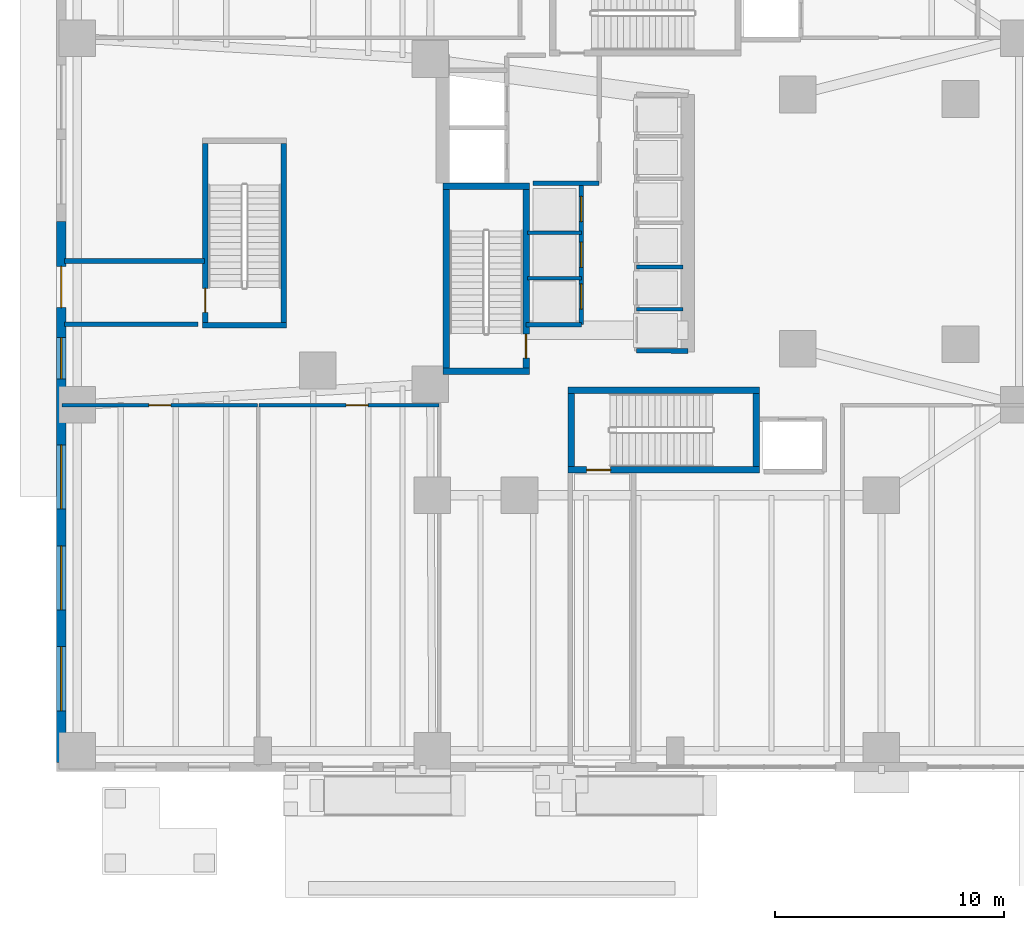
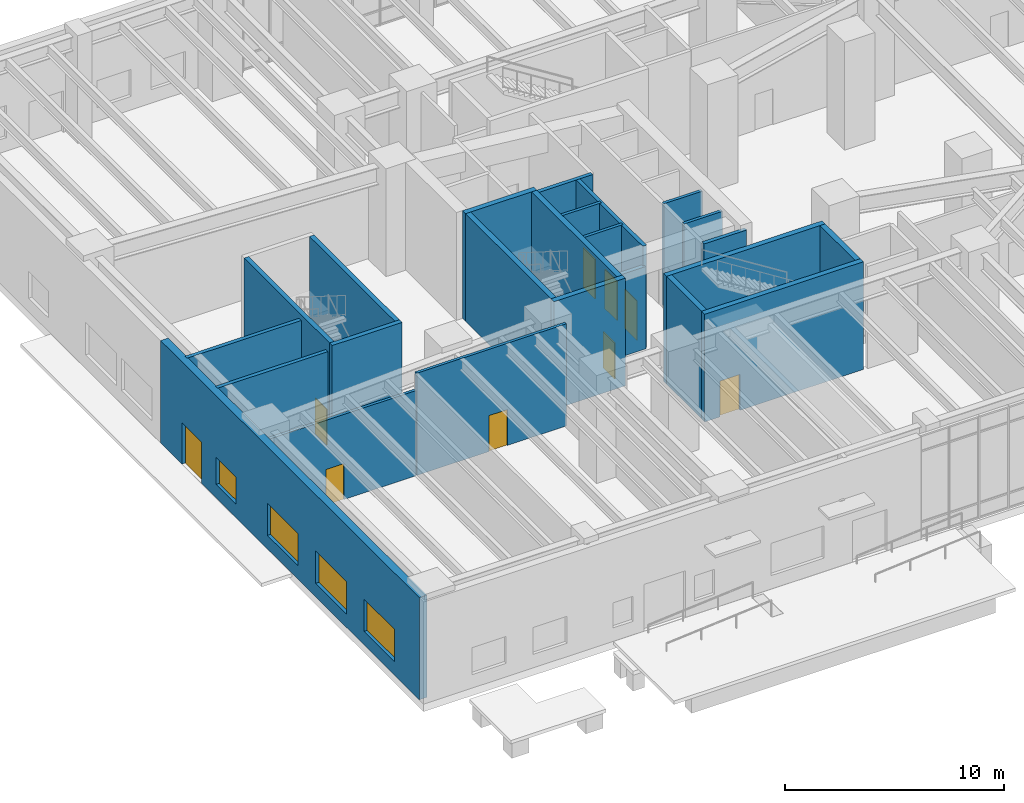
# One storey, part 19 of 28: 24 walls, 9 doors, 4 windows, 13 openings.
"""IFC4 building model written with IfcOpenShell, lengths in metres."""

import ifcopenshell
import ifcopenshell.guid

model = None  # the IFC model being written
_history = None  # IfcOwnerHistory: only IFC2X3 demands one
_inside = {}  # id of a spatial element -> (the spatial element, [elements in it])
_under = {}  # id of a project, library or spatial element -> (it, [spatial elements below it])
_declared = {}  # id of a project -> (the project, [libraries it declares])
_typed = {}  # id of a type object -> (the type object, [elements of that type])
_made_of = {}  # id of a material, layer set ... -> (it, [elements and type objects made of it])


def new_model(schema):
    """Start an empty IFC model of exactly this schema.

    Asked for "IFC4X3", IfcOpenShell would pick the latest addendum, in which some entities
    have other attributes; the version numbers below select the first issue.
    IFC2X3 requires an IfcOwnerHistory on every rooted entity: one is made here for all.
    """
    global model, _history
    if schema == "IFC4X3":
        model = ifcopenshell.file(schema_version=(4, 3, 0, 0))
    else:
        model = ifcopenshell.file(schema=schema)
    _inside.clear()
    _under.clear()
    _declared.clear()
    _typed.clear()
    _made_of.clear()
    _history = None
    if model.schema == "IFC2X3":
        org = make("IfcOrganization", Name="unknown")
        user = make(
            "IfcPersonAndOrganization",
            ThePerson=make("IfcPerson", FamilyName="unknown"),
            TheOrganization=org,
        )
        app = make(
            "IfcApplication",
            ApplicationDeveloper=org,
            Version="unknown",
            ApplicationFullName="unknown",
            ApplicationIdentifier="unknown",
        )
        _history = make(
            "IfcOwnerHistory",
            OwningUser=user,
            OwningApplication=app,
            ChangeAction="ADDED",
            CreationDate=0,
        )
    return model


def make(cls, **values):
    """One entity of the class cls with the attributes given. An attribute that is None is left unset."""
    return model.create_entity(
        cls, **{name: value for name, value in values.items() if value is not None}
    )


def rooted(cls, **values):
    """An entity with a GlobalId (a new one), such as an element, a storey or a relation."""
    return make(cls, GlobalId=ifcopenshell.guid.new(), OwnerHistory=_history, **values)


def si_unit(unit_type, name, prefix=None):
    """IfcSIUnit, for example si_unit("LENGTHUNIT", "METRE", prefix="MILLI")."""
    return make("IfcSIUnit", UnitType=unit_type, Prefix=prefix, Name=name)


def assignment(units):
    """IfcUnitAssignment: the units of a project."""
    return None if units is None else make("IfcUnitAssignment", Units=units)


def point(xyz):
    """IfcCartesianPoint."""
    return None if xyz is None else make("IfcCartesianPoint", Coordinates=xyz)


def direction(xyz):
    """IfcDirection."""
    return None if xyz is None else make("IfcDirection", DirectionRatios=xyz)


def frame(location, z_axis=None, x_axis=None):
    """IfcAxis2Placement3D, a coordinate frame: its origin and axes. An axis left out is left unset."""
    return make(
        "IfcAxis2Placement3D",
        Location=point(location),
        Axis=direction(z_axis),
        RefDirection=direction(x_axis),
    )


def frame_2d(location, x_axis=None):
    """IfcAxis2Placement2D, a coordinate frame in the plane: its origin and x axis."""
    return make(
        "IfcAxis2Placement2D", Location=point(location), RefDirection=direction(x_axis)
    )


def origin():
    """The frame at (0, 0, 0) with its axes left unset."""
    return frame((0.0, 0.0, 0.0))


def place(relative_to, where):
    """IfcLocalPlacement: puts the frame where relative to a parent placement (None: the world)."""
    return make(
        "IfcLocalPlacement", PlacementRelTo=relative_to, RelativePlacement=where
    )


def context(
    kind, dimensions, precision=None, world=None, true_north=None, identifier=None
):
    """IfcGeometricRepresentationContext, for example the 3D "Model" context."""
    return make(
        "IfcGeometricRepresentationContext",
        ContextIdentifier=identifier,
        ContextType=kind,
        CoordinateSpaceDimension=dimensions,
        Precision=precision,
        WorldCoordinateSystem=world,
        TrueNorth=true_north,
    )


def subcontext(parent, identifier, kind, view, scale=None):
    """IfcGeometricRepresentationSubContext, for example "Body" below "Model"."""
    return make(
        "IfcGeometricRepresentationSubContext",
        ContextIdentifier=identifier,
        ContextType=kind,
        ParentContext=parent,
        TargetScale=scale,
        TargetView=view,
    )


def project(units=None, contexts=None):
    """IfcProject with its units and contexts."""
    return rooted(
        "IfcProject",
        Name="project",
        RepresentationContexts=contexts,
        UnitsInContext=assignment(units),
    )


def spatial(cls, under=None, at=None, **own):
    """A site, building, storey or space (cls), placed at a placement, below another one or the project."""
    s = rooted(cls, ObjectPlacement=at, **own)
    if under is not None:
        _under.setdefault(under.id(), (under, []))[1].append(s)
    return s


def profile(cls, at=None, kind="AREA", **sizes):
    """A parametric profile (cls). Its sizes go by their IFC names, for example OverallWidth=200.0."""
    return make(cls, ProfileType=kind, Position=at, **sizes)


def rectangle(**sizes):
    """IfcRectangleProfileDef."""
    return profile("IfcRectangleProfileDef", **sizes)


def extrude(swept, where, along, depth):
    """IfcExtrudedAreaSolid: the profile swept, set in the frame where, extruded along a direction by depth."""
    return make(
        "IfcExtrudedAreaSolid",
        SweptArea=swept,
        Position=where,
        ExtrudedDirection=direction(along),
        Depth=depth,
    )


def shape(context_of_items, identifier, shape_type, items):
    """IfcShapeRepresentation: the items that make up one representation, for example the "Body"."""
    return make(
        "IfcShapeRepresentation",
        ContextOfItems=context_of_items,
        RepresentationIdentifier=identifier,
        RepresentationType=shape_type,
        Items=items,
    )


def material(Name=None, Category=None):
    """IfcMaterial."""
    return make("IfcMaterial", Name=Name, Category=Category)


def layer(
    of_material, thickness, ventilated=None, Name=None, Category=None, Priority=None
):
    """IfcMaterialLayer: one layer of a wall or slab, of a material (None: an air gap)."""
    return make(
        "IfcMaterialLayer",
        Material=of_material,
        LayerThickness=thickness,
        IsVentilated=ventilated,
        Name=Name,
        Category=Category,
        Priority=Priority,
    )


def layer_set(layers, Name=None):
    """IfcMaterialLayerSet."""
    return make("IfcMaterialLayerSet", MaterialLayers=layers, LayerSetName=Name)


def made_of(thing, what):
    """Note that an element or type object is made of a material, layer set ...; save() writes the relation."""
    if what is not None:
        _made_of.setdefault(what.id(), (what, []))[1].append(thing)
    return thing


def type_object(cls, material=None, **own):
    """A type object (cls), such as IfcWallType, which elements share."""
    return made_of(rooted(cls, **own), material)


def element(
    cls,
    number,
    at=None,
    inside=None,
    cuts=None,
    type_object=None,
    material=None,
    context=None,
    identifier="Body",
    shape_type=None,
    held_by="IfcProductDefinitionShape",
    body=None,
    shapes=None,
    **own,
):
    """One element of the class cls, such as IfcWall. Its Tag is "e" and its number.

    at: its placement. inside: the storey or other place that contains it. cuts: it is an
    opening in that element (IfcRelVoidsElement). A single representation is given by context,
    identifier, shape_type and body (its items); several are given by shapes. held_by: the class
    of the entity that holds the representations. save() writes the other relations.
    """
    e = rooted(cls, Tag="e%d" % number, ObjectPlacement=at, **own)
    if body is not None:
        shapes = [shape(context, identifier, shape_type, body)]
    if shapes is not None:
        e.Representation = make(held_by, Representations=shapes)
    if inside is not None:
        _inside.setdefault(inside.id(), (inside, []))[1].append(e)
    if cuts is not None:
        rooted(
            "IfcRelVoidsElement", RelatingBuildingElement=cuts, RelatedOpeningElement=e
        )
    if type_object is not None:
        _typed.setdefault(type_object.id(), (type_object, []))[1].append(e)
    return made_of(e, material)


def fill(opening, filler):
    """IfcRelFillsElement: the door or window that sits in an opening."""
    return rooted(
        "IfcRelFillsElement",
        RelatingOpeningElement=opening,
        RelatedBuildingElement=filler,
    )


def aggregate(whole, parts):
    """IfcRelAggregates: a whole, such as a stair, and the parts it consists of."""
    return rooted("IfcRelAggregates", RelatingObject=whole, RelatedObjects=parts)


def save(model, path):
    """Write the relations noted so far, then the file.

    IfcRelAggregates (storeys below a building ...), IfcRelContainedInSpatialStructure (elements
    in a storey), IfcRelDefinesByType, IfcRelAssociatesMaterial and IfcRelDeclares: one each for
    every whole, place, type object, material and project.
    """
    for whole, parts in _under.values():
        aggregate(whole, parts)
    for where, things in _inside.values():
        rooted(
            "IfcRelContainedInSpatialStructure",
            RelatedElements=things,
            RelatingStructure=where,
        )
    for kind, things in _typed.values():
        rooted("IfcRelDefinesByType", RelatedObjects=things, RelatingType=kind)
    for what, things in _made_of.values():
        rooted("IfcRelAssociatesMaterial", RelatedObjects=things, RelatingMaterial=what)
    for by, libraries in _declared.values():
        rooted("IfcRelDeclares", RelatingContext=by, RelatedDefinitions=libraries)
    model.write(path)


model = new_model("IFC4")

# Units and contexts
model_context = context("Model", 3, precision=1e-05, world=origin(), true_north=direction((0.0, 1.0)))
body_context = subcontext(model_context, "Body", "Model", "MODEL_VIEW")
ifc_project = project(units=[si_unit("LENGTHUNIT", "METRE"), si_unit("AREAUNIT", "SQUARE_METRE"), si_unit("VOLUMEUNIT", "CUBIC_METRE"), si_unit("PLANEANGLEUNIT", "RADIAN"), si_unit("MASSUNIT", "GRAM", prefix="KILO"), si_unit("THERMODYNAMICTEMPERATUREUNIT", "KELVIN"), si_unit("POWERUNIT", "WATT")], contexts=[model_context])

# Site, building, storey
site_placement = place(None, origin())
site = spatial("IfcSite", under=ifc_project, at=site_placement, CompositionType="ELEMENT")
building_placement = place(site_placement, origin())
building = spatial("IfcBuilding", under=site, at=building_placement, Name="Skarre Station Tower", CompositionType="ELEMENT")
storey_placement = place(building_placement, origin())
storey = spatial("IfcBuildingStorey", under=building, at=storey_placement, Name="L01", CompositionType="ELEMENT", Elevation=0.0)

# Wall, opening, door
ifc_material_1 = material(Name="Acoustic Steel-Stud Gypsum Partition", Category="steel")
ifc_layer_1 = layer(ifc_material_1, 0.14990234375, Name="Acoustic Steel-Stud Gypsum Partition")
ifc_layer_set_1 = layer_set([ifc_layer_1], Name="Acoustic Steel-Stud Gypsum Partition")
wall_type_1 = type_object("IfcWallType", Name="Fire-Rated Corridor Acoustic Partition 150", PredefinedType="PARTITIONING", material=ifc_layer_set_1)
wall_1_placement = place(storey_placement, frame((0.239990234375, 15.97998046875, 0.0), z_axis=(0.0, 0.0, 1.0), x_axis=(1.0, 0.0, 0.0)))
wall_1 = element("IfcWall", 1, at=wall_1_placement, inside=storey, type_object=wall_type_1, Name="L01 Interior Partition WL-PT-L01-PDSW1-CW", PredefinedType="PARTITIONING", context=body_context, shape_type="SweptSolid", body=[
    extrude(rectangle(XDim=8.532958984375, YDim=0.14990234375, at=frame_2d((4.2666015625, 0.0))), origin(), (0.0, 0.0, 1.0), 4.741943359375),
])
opening_1_placement = place(wall_1_placement, frame((3.787109375, 0.0, 0.0)))
opening_1 = element("IfcOpeningElement", 2, at=opening_1_placement, cuts=wall_1, Name="Opening DR-FD60", PredefinedType="OPENING", context=body_context, shape_type="SweptSolid", body=[
    extrude(rectangle(XDim=0.9599609375, YDim=2.0, at=frame_2d((0.47998046875, 1.0))), frame((0.0, 0.0849609375, 0.0), z_axis=(0.0, -1.0, 0.0), x_axis=(1.0, 0.0, 0.0)), (0.0, 0.0, 1.0), 0.169921875),
])
ifc_material_2 = material(Name="Nordic White-Oak Veneer Solid-Core Fire Leaf", Category="wood")
door_type_1 = type_object("IfcDoorType", Name="Corridor Suite Entry Fire Door FD60 960x2150", OperationType="SINGLE_SWING_LEFT", PredefinedType="DOOR", material=ifc_material_2)
door_1_placement = place(opening_1_placement, origin())
door_1 = element("IfcDoor", 3, at=door_1_placement, inside=storey, type_object=door_type_1, Name="L01 PDSW1 Entry Door", OperationType="SINGLE_SWING_LEFT", OverallHeight=2.0, OverallWidth=0.9599609375, PredefinedType="DOOR", context=body_context, shape_type="SweptSolid", body=[
    extrude(rectangle(XDim=0.9599609375, YDim=2.0, at=frame_2d((0.47998046875, 1.0))), frame((0.0, 0.02490234375, 0.0), z_axis=(0.0, -1.0, 0.0), x_axis=(1.0, 0.0, 0.0)), (0.0, 0.0, 1.0), 0.050048828125),
])
fill(opening_1, door_1)

wall_2_placement = place(storey_placement, frame((8.824951171875, 15.97998046875, 0.0), z_axis=(0.0, 0.0, 1.0), x_axis=(1.0, 0.0, 0.0)))
wall_2 = element("IfcWall", 4, at=wall_2_placement, inside=storey, type_object=wall_type_1, Name="L01 Interior Partition WL-PT-L01-PDSW2-CW", PredefinedType="PARTITIONING", context=body_context, shape_type="SweptSolid", body=[
    extrude(rectangle(XDim=7.875, YDim=0.14990234375, at=frame_2d((3.9375, 0.0))), origin(), (0.0, 0.0, 1.0), 5.68994140625),
])
opening_2_placement = place(wall_2_placement, frame((3.80810546875, 0.0, 0.0)))
opening_2 = element("IfcOpeningElement", 5, at=opening_2_placement, cuts=wall_2, Name="Opening DR-FD60", PredefinedType="OPENING", context=body_context, shape_type="SweptSolid", body=[
    extrude(rectangle(XDim=0.9599609375, YDim=2.0, at=frame_2d((0.47998046875, 1.0))), frame((0.0, 0.0849609375, 0.0), z_axis=(0.0, -1.0, 0.0), x_axis=(1.0, 0.0, 0.0)), (0.0, 0.0, 1.0), 0.169921875),
])
door_2_placement = place(opening_2_placement, origin())
door_2 = element("IfcDoor", 6, at=door_2_placement, inside=storey, type_object=door_type_1, Name="L01 PDSW2 Entry Door", OperationType="SINGLE_SWING_LEFT", OverallHeight=2.0, OverallWidth=0.9599609375, PredefinedType="DOOR", context=body_context, shape_type="SweptSolid", body=[
    extrude(rectangle(XDim=0.9599609375, YDim=2.0, at=frame_2d((0.47998046875, 1.0))), frame((0.0, 0.02490234375, 0.0), z_axis=(0.0, -1.0, 0.0), x_axis=(1.0, 0.0, 0.0)), (0.0, 0.0, 1.0), 0.050048828125),
])
fill(opening_2, door_2)

# Wall, openings, door, windows
ifc_material_3 = material(Name="Precast concrete C45/55", Category="concrete")
ifc_layer_2 = layer(ifc_material_3, 0.39990234375, Name="Precast concrete C45/55")
ifc_layer_set_2 = layer_set([ifc_layer_2], Name="Precast concrete C45/55")
wall_type_2 = type_object("IfcWallType", Name="Nordic Granite Station Podium Wall 400", PredefinedType="STANDARD", material=ifc_layer_set_2)
wall_3_placement = place(storey_placement, frame((0.199951171875, 0.39990234375, 0.0), z_axis=(0.0, 0.0, 1.0), x_axis=(0.0, 1.0, 0.0)))
wall_3 = element("IfcWall", 7, at=wall_3_placement, inside=storey, type_object=wall_type_2, Name="L01 Podium Granite Wall WA", PredefinedType="STANDARD", context=body_context, shape_type="SweptSolid", body=[
    extrude(rectangle(XDim=23.60009765625, YDim=0.39990234375, at=frame_2d((11.800048828125, 0.0))), origin(), (0.0, 0.0, 1.0), 5.68994140625),
])
opening_3_placement = place(wall_3_placement, frame((19.85009765625, 0.0, 0.0)))
opening_3 = element("IfcOpeningElement", 8, at=opening_3_placement, cuts=wall_3, Name="Opening DR-EXIT180", PredefinedType="OPENING", context=body_context, shape_type="SweptSolid", body=[
    extrude(rectangle(XDim=1.800048828125, YDim=2.300048828125, at=frame_2d((0.89990234375, 1.14990234375))), frame((0.0, 0.2099609375, 0.0), z_axis=(0.0, -1.0, 0.0), x_axis=(1.0, 0.0, 0.0)), (0.0, 0.0, 1.0), 0.419921875),
])
opening_4_placement = place(wall_3_placement, frame((2.242919921875, 0.0, 0.75)))
opening_4 = element("IfcOpeningElement", 9, at=opening_4_placement, cuts=wall_3, Name="Opening WN-POD", PredefinedType="OPENING", context=body_context, shape_type="SweptSolid", body=[
    extrude(rectangle(XDim=2.800048828125, YDim=1.800048828125, at=frame_2d((1.39990234375, 0.89990234375))), frame((0.0, 0.2099609375, 0.0), z_axis=(0.0, -1.0, 0.0), x_axis=(1.0, 0.0, 0.0)), (0.0, 0.0, 1.0), 0.419921875),
])
opening_5_placement = place(wall_3_placement, frame((6.64990234375, 0.0, 0.75)))
opening_5 = element("IfcOpeningElement", 10, at=opening_5_placement, cuts=wall_3, Name="Opening WN-POD", PredefinedType="OPENING", context=body_context, shape_type="SweptSolid", body=[
    extrude(rectangle(XDim=2.800048828125, YDim=1.800048828125, at=frame_2d((1.39990234375, 0.89990234375))), frame((0.0, 0.2099609375, 0.0), z_axis=(0.0, -1.0, 0.0), x_axis=(1.0, 0.0, 0.0)), (0.0, 0.0, 1.0), 0.419921875),
])
opening_6_placement = place(wall_3_placement, frame((11.056884765625, 0.0, 0.75)))
opening_6 = element("IfcOpeningElement", 11, at=opening_6_placement, cuts=wall_3, Name="Opening WN-POD", PredefinedType="OPENING", context=body_context, shape_type="SweptSolid", body=[
    extrude(rectangle(XDim=2.800048828125, YDim=1.800048828125, at=frame_2d((1.39990234375, 0.89990234375))), frame((0.0, 0.2099609375, 0.0), z_axis=(0.0, -1.0, 0.0), x_axis=(1.0, 0.0, 0.0)), (0.0, 0.0, 1.0), 0.419921875),
])
opening_7_placement = place(wall_3_placement, frame((16.739990234375, 0.0, 0.75)))
opening_7 = element("IfcOpeningElement", 12, at=opening_7_placement, cuts=wall_3, Name="Opening WN-Z1A", PredefinedType="OPENING", context=body_context, shape_type="SweptSolid", body=[
    extrude(rectangle(XDim=1.800048828125, YDim=1.5, at=frame_2d((0.89990234375, 0.75))), frame((0.0, 0.2099609375, 0.0), z_axis=(0.0, -1.0, 0.0), x_axis=(1.0, 0.0, 0.0)), (0.0, 0.0, 1.0), 0.419921875),
])
ifc_material_4 = material(Name="Insulated Galvanized Steel Hollow-Metal Door", Category="steel")
door_type_2 = type_object("IfcDoorType", Name="Concourse Emergency Exit Discharge Door 1800x2300", OperationType="DOUBLE_DOOR_SINGLE_SWING", PredefinedType="DOOR", material=ifc_material_4)
door_3_placement = place(opening_3_placement, origin())
door_3 = element("IfcDoor", 13, at=door_3_placement, inside=storey, type_object=door_type_2, Name="L01 Stair ST-4 Protected Passageway Exterior Exit Door", OperationType="SINGLE_SWING_LEFT", OverallHeight=2.300048828125, OverallWidth=1.800048828125, PredefinedType="DOOR", context=body_context, shape_type="SweptSolid", body=[
    extrude(rectangle(XDim=1.800048828125, YDim=2.300048828125, at=frame_2d((0.89990234375, 1.14990234375))), frame((0.0, 0.02490234375, 0.0), z_axis=(0.0, -1.0, 0.0), x_axis=(1.0, 0.0, 0.0)), (0.0, 0.0, 1.0), 0.050048828125),
])
fill(opening_3, door_3)
ifc_material_5 = material(Name="Low-Iron Triple Glazing with Bronze Anodized Frame", Category="glass")
window_type_1 = type_object("IfcWindowType", Name="Nordic Punched Triple-Glazed Window 1800x1500", PartitioningType="SINGLE_PANEL", PredefinedType="WINDOW", material=ifc_material_5)
window_1_placement = place(opening_7_placement, origin())
window_1 = element("IfcWindow", 14, at=window_1_placement, inside=storey, type_object=window_type_1, Name="L01 Facade Window WL-POD-L01-WA-4", OverallHeight=1.5, OverallWidth=1.800048828125, PartitioningType="SINGLE_PANEL", PredefinedType="WINDOW", context=body_context, shape_type="SweptSolid", body=[
    extrude(rectangle(XDim=1.800048828125, YDim=1.5, at=frame_2d((0.89990234375, 0.75))), frame((0.0, 0.030029296875, 0.0), z_axis=(0.0, -1.0, 0.0), x_axis=(1.0, 0.0, 0.0)), (0.0, 0.0, 1.0), 0.06005859375),
])
fill(opening_7, window_1)
window_type_2 = type_object("IfcWindowType", Name="Podium Clerestory Ribbon Window 2800x1800", PartitioningType="SINGLE_PANEL", PredefinedType="WINDOW", material=ifc_material_5)
window_2_placement = place(opening_4_placement, origin())
window_2 = element("IfcWindow", 15, at=window_2_placement, inside=storey, type_object=window_type_2, Name="L01 Facade Window WL-POD-L01-WA-1", OverallHeight=1.800048828125, OverallWidth=2.800048828125, PartitioningType="SINGLE_PANEL", PredefinedType="WINDOW", context=body_context, shape_type="SweptSolid", body=[
    extrude(rectangle(XDim=2.800048828125, YDim=1.800048828125, at=frame_2d((1.39990234375, 0.89990234375))), frame((0.0, 0.030029296875, 0.0), z_axis=(0.0, -1.0, 0.0), x_axis=(1.0, 0.0, 0.0)), (0.0, 0.0, 1.0), 0.06005859375),
])
fill(opening_4, window_2)
window_3_placement = place(opening_5_placement, origin())
window_3 = element("IfcWindow", 16, at=window_3_placement, inside=storey, type_object=window_type_2, Name="L01 Facade Window WL-POD-L01-WA-2", OverallHeight=1.800048828125, OverallWidth=2.800048828125, PartitioningType="SINGLE_PANEL", PredefinedType="WINDOW", context=body_context, shape_type="SweptSolid", body=[
    extrude(rectangle(XDim=2.800048828125, YDim=1.800048828125, at=frame_2d((1.39990234375, 0.89990234375))), frame((0.0, 0.030029296875, 0.0), z_axis=(0.0, -1.0, 0.0), x_axis=(1.0, 0.0, 0.0)), (0.0, 0.0, 1.0), 0.06005859375),
])
fill(opening_5, window_3)
window_4_placement = place(opening_6_placement, origin())
window_4 = element("IfcWindow", 17, at=window_4_placement, inside=storey, type_object=window_type_2, Name="L01 Facade Window WL-POD-L01-WA-3", OverallHeight=1.800048828125, OverallWidth=2.800048828125, PartitioningType="SINGLE_PANEL", PredefinedType="WINDOW", context=body_context, shape_type="SweptSolid", body=[
    extrude(rectangle(XDim=2.800048828125, YDim=1.800048828125, at=frame_2d((1.39990234375, 0.89990234375))), frame((0.0, 0.030029296875, 0.0), z_axis=(0.0, -1.0, 0.0), x_axis=(1.0, 0.0, 0.0)), (0.0, 0.0, 1.0), 0.06005859375),
])
fill(opening_6, window_4)

# Walls
ifc_material_6 = material(Name="Concrete C50/60", Category="concrete")
ifc_layer_3 = layer(ifc_material_6, 0.239990234375, Name="Concrete C50/60")
ifc_layer_set_3 = layer_set([ifc_layer_3], Name="Concrete C50/60")
wall_type_3 = type_object("IfcWallType", Name="RC Core Shear Wall 240", PredefinedType="SHEAR", material=ifc_layer_set_3)
wall_4_placement = place(storey_placement, frame((6.360107421875, 19.47998046875, 0.0), z_axis=(0.0, 0.0, 1.0), x_axis=(1.0, 0.0, 0.0)))
element("IfcWall", 18, at=wall_4_placement, inside=storey, type_object=wall_type_3, Name="L01 Podium Stair ST-4 South Shear Wall", PredefinedType="SHEAR", context=body_context, shape_type="SweptSolid", body=[
    extrude(rectangle(XDim=3.679931640625, YDim=0.239990234375, at=frame_2d((1.83984375, 0.0))), origin(), (0.0, 0.0, 1.0), 6.0),
])
wall_5_placement = place(storey_placement, frame((9.919921875, 19.60009765625, 0.0), z_axis=(0.0, 0.0, 1.0), x_axis=(0.0, 1.0, 0.0)))
element("IfcWall", 19, at=wall_5_placement, inside=storey, type_object=wall_type_3, Name="L01 Podium Stair ST-4 East Shear Wall", PredefinedType="SHEAR", context=body_context, shape_type="SweptSolid", body=[
    extrude(rectangle(XDim=7.7998046875, YDim=0.239990234375, at=frame_2d((3.89990234375, 0.0))), origin(), (0.0, 0.0, 1.0), 6.0),
])

# Wall, opening, door
wall_6_placement = place(storey_placement, frame((6.47998046875, 19.60009765625, 0.0), z_axis=(0.0, 0.0, 1.0), x_axis=(0.0, 1.0, 0.0)))
wall_6 = element("IfcWall", 20, at=wall_6_placement, inside=storey, type_object=wall_type_3, Name="L01 Podium Stair ST-4 West Shear Wall", PredefinedType="SHEAR", context=body_context, shape_type="SweptSolid", body=[
    extrude(rectangle(XDim=7.7998046875, YDim=0.239990234375, at=frame_2d((3.89990234375, 0.0))), origin(), (0.0, 0.0, 1.0), 6.0),
])
opening_8_placement = place(wall_6_placement, frame((0.43994140625, 0.0, 0.0)))
opening_8 = element("IfcOpeningElement", 21, at=opening_8_placement, cuts=wall_6, Name="Opening DR-FD90", PredefinedType="OPENING", context=body_context, shape_type="SweptSolid", body=[
    extrude(rectangle(XDim=1.050048828125, YDim=2.0, at=frame_2d((0.52490234375, 1.0))), frame((0.0, 0.1298828125, 0.0), z_axis=(0.0, -1.0, 0.0), x_axis=(1.0, 0.0, 0.0)), (0.0, 0.0, 1.0), 0.260009765625),
])
ifc_material_7 = material(Name="Fire-Rated Insulated Steel Frame & Timber Core Leaf", Category="steel")
door_type_3 = type_object("IfcDoorType", Name="Stair & FSAE Lobby Fire Door FD90 1050x2150", OperationType="SINGLE_SWING_RIGHT", PredefinedType="DOOR", material=ifc_material_7)
door_4_placement = place(opening_8_placement, origin())
door_4 = element("IfcDoor", 22, at=door_4_placement, inside=storey, type_object=door_type_3, Name="L01 Podium Stair ST-4 Exit Door", OperationType="SINGLE_SWING_RIGHT", OverallHeight=2.0, OverallWidth=1.050048828125, PredefinedType="DOOR", context=body_context, shape_type="SweptSolid", body=[
    extrude(rectangle(XDim=1.050048828125, YDim=2.0, at=frame_2d((0.52490234375, 1.0))), frame((0.0, 0.02490234375, 0.0), z_axis=(0.0, -1.0, 0.0), x_axis=(1.0, 0.0, 0.0)), (0.0, 0.0, 1.0), 0.050048828125),
])
fill(opening_8, door_4)

# Walls
ifc_layer_4 = layer(ifc_material_6, 0.280029296875, Name="Concrete C50/60")
ifc_layer_set_4 = layer_set([ifc_layer_4], Name="Concrete C50/60")
wall_type_4 = type_object("IfcWallType", Name="RC Core Shear Wall 280", PredefinedType="SHEAR", material=ifc_layer_set_4)
for number, where, z_axis, x_axis, name in (
    (23, (16.8701171875, 17.4599609375, 0.0), (0.0, 0.0, 1.0), (1.0, 0.0, 0.0), "L01 Stair ST-1 South Shear Wall"),
    (24, (20.6298828125, 25.5400390625, 0.0), (0.0, 0.0, 1.0), (-1.0, 0.0, 0.0), "L01 Stair ST-1 North Shear Wall"),
):
    element("IfcWall", number, at=place(storey_placement, frame(where, z_axis=z_axis, x_axis=x_axis)), inside=storey, type_object=wall_type_4, Name=name, PredefinedType="SHEAR", context=body_context, shape_type="SweptSolid", body=[
        extrude(rectangle(XDim=3.759765625, YDim=0.280029296875, at=frame_2d((1.8798828125, 0.0))), origin(), (0.0, 0.0, 1.0), 6.0),
    ])
wall_7_placement = place(storey_placement, frame((17.010009765625, 25.39990234375, 0.0), z_axis=(0.0, 0.0, 1.0), x_axis=(0.0, -1.0, 0.0)))
element("IfcWall", 25, at=wall_7_placement, inside=storey, type_object=wall_type_4, Name="L01 Stair ST-1 West Shear Wall", PredefinedType="SHEAR", context=body_context, shape_type="SweptSolid", body=[
    extrude(rectangle(XDim=7.7998046875, YDim=0.280029296875, at=frame_2d((3.89990234375, 0.0))), origin(), (0.0, 0.0, 1.0), 6.0),
])

# Wall, opening, door
wall_8_placement = place(storey_placement, frame((20.489990234375, 25.39990234375, 0.0), z_axis=(0.0, 0.0, 1.0), x_axis=(0.0, -1.0, 0.0)))
wall_8 = element("IfcWall", 26, at=wall_8_placement, inside=storey, type_object=wall_type_4, Name="L01 Stair ST-1 East Shear Wall", PredefinedType="SHEAR", context=body_context, shape_type="SweptSolid", body=[
    extrude(rectangle(XDim=7.7998046875, YDim=0.280029296875, at=frame_2d((3.89990234375, 0.0))), origin(), (0.0, 0.0, 1.0), 6.0),
])
opening_9_placement = place(wall_8_placement, frame((6.31005859375, 0.0, 0.0)))
opening_9 = element("IfcOpeningElement", 27, at=opening_9_placement, cuts=wall_8, Name="Opening DR-FD90", PredefinedType="OPENING", context=body_context, shape_type="SweptSolid", body=[
    extrude(rectangle(XDim=1.050048828125, YDim=2.0, at=frame_2d((0.52490234375, 1.0))), frame((0.0, 0.14990234375, 0.0), z_axis=(0.0, -1.0, 0.0), x_axis=(1.0, 0.0, 0.0)), (0.0, 0.0, 1.0), 0.300048828125),
])
door_5_placement = place(opening_9_placement, origin())
door_5 = element("IfcDoor", 28, at=door_5_placement, inside=storey, type_object=door_type_3, Name="L01 Stair ST-1 Exit Door", OperationType="SINGLE_SWING_LEFT", OverallHeight=2.0, OverallWidth=1.050048828125, PredefinedType="DOOR", context=body_context, shape_type="SweptSolid", body=[
    extrude(rectangle(XDim=1.050048828125, YDim=2.0, at=frame_2d((0.52490234375, 1.0))), frame((0.0, 0.02490234375, 0.0), z_axis=(0.0, -1.0, 0.0), x_axis=(1.0, 0.0, 0.0)), (0.0, 0.0, 1.0), 0.050048828125),
])
fill(opening_9, door_5)

# Walls
wall_9_placement = place(storey_placement, frame((30.679931640625, 16.639892578125, 0.0), z_axis=(0.0, 0.0, 1.0), x_axis=(-1.0, 0.0, 0.0)))
element("IfcWall", 29, at=wall_9_placement, inside=storey, type_object=wall_type_4, Name="L01 Stair ST-2 North Shear Wall", PredefinedType="SHEAR", context=body_context, shape_type="SweptSolid", body=[
    extrude(rectangle(XDim=8.35986328125, YDim=0.280029296875, at=frame_2d((4.179931640625, 0.0))), origin(), (0.0, 0.0, 1.0), 6.0),
])
for number, where, z_axis, x_axis, name in (
    (30, (22.4599609375, 16.5, 0.0), (0.0, 0.0, 1.0), (0.0, -1.0, 0.0), "L01 Stair ST-2 West Shear Wall"),
    (31, (30.5400390625, 13.300048828125, 0.0), (0.0, 0.0, 1.0), (0.0, 1.0, 0.0), "L01 Stair ST-2 East Shear Wall"),
):
    element("IfcWall", number, at=place(storey_placement, frame(where, z_axis=z_axis, x_axis=x_axis)), inside=storey, type_object=wall_type_4, Name=name, PredefinedType="SHEAR", context=body_context, shape_type="SweptSolid", body=[
        extrude(rectangle(XDim=3.199951171875, YDim=0.280029296875, at=frame_2d((1.60009765625, 0.0))), origin(), (0.0, 0.0, 1.0), 6.0),
    ])

# Wall, opening, door
wall_10_placement = place(storey_placement, frame((30.679931640625, 13.159912109375, 0.0), z_axis=(0.0, 0.0, 1.0), x_axis=(-1.0, 0.0, 0.0)))
wall_10 = element("IfcWall", 32, at=wall_10_placement, inside=storey, type_object=wall_type_4, Name="L01 Stair ST-2 South Shear Wall", PredefinedType="SHEAR", context=body_context, shape_type="SweptSolid", body=[
    extrude(rectangle(XDim=8.35986328125, YDim=0.280029296875, at=frame_2d((4.179931640625, 0.0))), origin(), (0.0, 0.0, 1.0), 6.0),
])
opening_10_placement = place(wall_10_placement, frame((6.5, 0.0, 0.0)))
opening_10 = element("IfcOpeningElement", 33, at=opening_10_placement, cuts=wall_10, Name="Opening DR-FD90", PredefinedType="OPENING", context=body_context, shape_type="SweptSolid", body=[
    extrude(rectangle(XDim=1.050048828125, YDim=2.0, at=frame_2d((0.52490234375, 1.0))), frame((0.0, 0.14990234375, 0.0), z_axis=(0.0, -1.0, 0.0), x_axis=(1.0, 0.0, 0.0)), (0.0, 0.0, 1.0), 0.300048828125),
])
door_6_placement = place(opening_10_placement, origin())
door_6 = element("IfcDoor", 34, at=door_6_placement, inside=storey, type_object=door_type_3, Name="L01 Stair ST-2 Exit Door", OperationType="SINGLE_SWING_RIGHT", OverallHeight=2.0, OverallWidth=1.050048828125, PredefinedType="DOOR", context=body_context, shape_type="SweptSolid", body=[
    extrude(rectangle(XDim=1.050048828125, YDim=2.0, at=frame_2d((0.52490234375, 1.0))), frame((0.0, 0.02490234375, 0.0), z_axis=(0.0, -1.0, 0.0), x_axis=(1.0, 0.0, 0.0)), (0.0, 0.0, 1.0), 0.050048828125),
])
fill(opening_10, door_6)

# Wall
ifc_material_8 = material(Name="Gypsum Concrete Shaft Assembly C30/37", Category="concrete")
ifc_layer_5 = layer(ifc_material_8, 0.199951171875, Name="Gypsum Concrete Shaft Assembly C30/37")
ifc_layer_set_5 = layer_set([ifc_layer_5], Name="Gypsum Concrete Shaft Assembly C30/37")
wall_type_5 = type_object("IfcWallType", Name="Shaft & Core Fire Partition 200", PredefinedType="PARTITIONING", material=ifc_layer_set_5)
wall_11_placement = place(storey_placement, frame((20.79296875, 25.679931640625, 0.0), z_axis=(0.0, 0.0, 1.0), x_axis=(1.0, 0.0, 0.0)))
element("IfcWall", 35, at=wall_11_placement, inside=storey, type_object=wall_type_5, Name="L01 Interior Partition WL-PT-L01-FSAE-S", PredefinedType="PARTITIONING", context=body_context, shape_type="SweptSolid", body=[
    extrude(rectangle(XDim=2.886962890625, YDim=0.199951171875, at=frame_2d((1.443359375, 0.0))), origin(), (0.0, 0.0, 1.0), 5.68994140625),
])

# Wall, openings, doors
wall_12_placement = place(storey_placement, frame((22.89990234375, 19.5, 0.0), z_axis=(0.0, 0.0, 1.0), x_axis=(0.0, 1.0, 0.0)))
wall_12 = element("IfcWall", 36, at=wall_12_placement, inside=storey, type_object=wall_type_5, Name="L01 Interior Partition WL-PT-L01-B3-E", PredefinedType="PARTITIONING", context=body_context, shape_type="SweptSolid", body=[
    extrude(rectangle(XDim=6.0849609375, YDim=0.199951171875, at=frame_2d((3.04248046875, 0.0))), origin(), (0.0, 0.0, 1.0), 5.68994140625),
])
opening_11_placement = place(wall_12_placement, frame((0.679931640625, 0.0, 0.0)))
opening_11 = element("IfcOpeningElement", 37, at=opening_11_placement, cuts=wall_12, Name="Opening LD-P7", PredefinedType="OPENING", context=body_context, shape_type="SweptSolid", body=[
    extrude(rectangle(XDim=1.10009765625, YDim=2.199951171875, at=frame_2d((0.550048828125, 1.10009765625))), frame((0.0, 0.10986328125, 0.0), z_axis=(0.0, -1.0, 0.0), x_axis=(1.0, 0.0, 0.0)), (0.0, 0.0, 1.0), 0.219970703125),
])
opening_12_placement = place(wall_12_placement, frame((2.5, 0.0, 0.0)))
opening_12 = element("IfcOpeningElement", 38, at=opening_12_placement, cuts=wall_12, Name="Opening LD-P8", PredefinedType="OPENING", context=body_context, shape_type="SweptSolid", body=[
    extrude(rectangle(XDim=1.10009765625, YDim=2.199951171875, at=frame_2d((0.550048828125, 1.10009765625))), frame((0.0, 0.10986328125, 0.0), z_axis=(0.0, -1.0, 0.0), x_axis=(1.0, 0.0, 0.0)), (0.0, 0.0, 1.0), 0.219970703125),
])
opening_13_placement = place(wall_12_placement, frame((4.5, 0.0, 0.0)))
opening_13 = element("IfcOpeningElement", 39, at=opening_13_placement, cuts=wall_12, Name="Opening LD-P9", PredefinedType="OPENING", context=body_context, shape_type="SweptSolid", body=[
    extrude(rectangle(XDim=1.10009765625, YDim=2.199951171875, at=frame_2d((0.550048828125, 1.10009765625))), frame((0.0, 0.10986328125, 0.0), z_axis=(0.0, -1.0, 0.0), x_axis=(1.0, 0.0, 0.0)), (0.0, 0.0, 1.0), 0.219970703125),
])
ifc_material_9 = material(Name="Brushed Bronze Stainless Steel Sliding Leaves", Category="steel")
door_type_4 = type_object("IfcDoorType", Name="Passenger Elevator Center-Parting Sliding Door 1100x2200", OperationType="SLIDING_TO_LEFT", PredefinedType="DOOR", material=ifc_material_9)
door_7_placement = place(opening_11_placement, origin())
door_7 = element("IfcDoor", 40, at=door_7_placement, inside=storey, type_object=door_type_4, Name="L01 Passenger Lift LF-P7 Landing Door", OperationType="SLIDING_TO_LEFT", OverallHeight=2.199951171875, OverallWidth=1.10009765625, PredefinedType="DOOR", context=body_context, shape_type="SweptSolid", body=[
    extrude(rectangle(XDim=1.10009765625, YDim=2.199951171875, at=frame_2d((0.550048828125, 1.10009765625))), frame((0.0, 0.02490234375, 0.0), z_axis=(0.0, -1.0, 0.0), x_axis=(1.0, 0.0, 0.0)), (0.0, 0.0, 1.0), 0.050048828125),
])
fill(opening_11, door_7)
door_8_placement = place(opening_12_placement, origin())
door_8 = element("IfcDoor", 41, at=door_8_placement, inside=storey, type_object=door_type_4, Name="L01 Passenger Lift LF-P8 Landing Door", OperationType="SLIDING_TO_LEFT", OverallHeight=2.199951171875, OverallWidth=1.10009765625, PredefinedType="DOOR", context=body_context, shape_type="SweptSolid", body=[
    extrude(rectangle(XDim=1.10009765625, YDim=2.199951171875, at=frame_2d((0.550048828125, 1.10009765625))), frame((0.0, 0.02490234375, 0.0), z_axis=(0.0, -1.0, 0.0), x_axis=(1.0, 0.0, 0.0)), (0.0, 0.0, 1.0), 0.050048828125),
])
fill(opening_12, door_8)
door_9_placement = place(opening_13_placement, origin())
door_9 = element("IfcDoor", 42, at=door_9_placement, inside=storey, type_object=door_type_4, Name="L01 Passenger Lift LF-P9 Landing Door", OperationType="SLIDING_TO_LEFT", OverallHeight=2.199951171875, OverallWidth=1.10009765625, PredefinedType="DOOR", context=body_context, shape_type="SweptSolid", body=[
    extrude(rectangle(XDim=1.10009765625, YDim=2.199951171875, at=frame_2d((0.550048828125, 1.10009765625))), frame((0.0, 0.02490234375, 0.0), z_axis=(0.0, -1.0, 0.0), x_axis=(1.0, 0.0, 0.0)), (0.0, 0.0, 1.0), 0.050048828125),
])
fill(opening_13, door_9)

# Walls
wall_13_placement = place(storey_placement, frame((20.489990234375, 19.5, 0.0), z_axis=(0.0, 0.0, 1.0), x_axis=(1.0, 0.0, 0.0)))
element("IfcWall", 43, at=wall_13_placement, inside=storey, type_object=wall_type_5, Name="L01 Interior Partition WL-PT-L01-B3-S", PredefinedType="PARTITIONING", context=body_context, shape_type="SweptSolid", body=[
    extrude(rectangle(XDim=2.409912109375, YDim=0.199951171875, at=frame_2d((1.205078125, 0.0))), origin(), (0.0, 0.0, 1.0), 4.590087890625),
])
for number, where, z_axis, x_axis, name in (
    (44, (20.550048828125, 21.52001953125, 0.0), (0.0, 0.0, 1.0), (1.0, 0.0, 0.0), "L01 Interior Partition WL-PT-L01-B3-D1"),
    (45, (20.550048828125, 23.52001953125, 0.0), (0.0, 0.0, 1.0), (1.0, 0.0, 0.0), "L01 Interior Partition WL-PT-L01-B3-D2"),
):
    element("IfcWall", number, at=place(storey_placement, frame(where, z_axis=z_axis, x_axis=x_axis)), inside=storey, type_object=wall_type_5, Name=name, PredefinedType="PARTITIONING", context=body_context, shape_type="SweptSolid", body=[
        extrude(rectangle(XDim=2.349853515625, YDim=0.159912109375, at=frame_2d((1.1748046875, 0.0))), origin(), (0.0, 0.0, 1.0), 5.68994140625),
    ])
wall_14_placement = place(storey_placement, frame((25.320068359375, 18.360107421875, 0.0), z_axis=(0.0, 0.0, 1.0), x_axis=(0.999989925833, -0.004488678231, 0.0)))
element("IfcWall", 46, at=wall_14_placement, inside=storey, type_object=wall_type_5, Name="L01 Interior Partition WL-PT-L01-B12-S", PredefinedType="PARTITIONING", context=body_context, shape_type="SweptSolid", body=[
    extrude(rectangle(XDim=2.22998046875, YDim=0.199951171875, at=frame_2d((1.114990234375, 0.0))), origin(), (0.0, 0.0, 1.0), 5.68994140625),
])
for number, where, z_axis, x_axis, name in (
    (47, (25.320068359375, 20.169921875, 0.0), (0.0, 0.0, 1.0), (1.0, 0.0, 0.0), "L01 Interior Partition WL-PT-L01-B12-D201"),
    (48, (25.320068359375, 22.02001953125, 0.0), (0.0, 0.0, 1.0), (1.0, 0.0, 0.0), "L01 Interior Partition WL-PT-L01-B12-D220"),
):
    element("IfcWall", number, at=place(storey_placement, frame(where, z_axis=z_axis, x_axis=x_axis)), inside=storey, type_object=wall_type_5, Name=name, PredefinedType="PARTITIONING", context=body_context, shape_type="SweptSolid", body=[
        extrude(rectangle(XDim=2.030029296875, YDim=0.159912109375, at=frame_2d((1.01513671875, 0.0))), origin(), (0.0, 0.0, 1.0), 5.68994140625),
    ])
wall_15_placement = place(storey_placement, frame((0.35009765625, 19.52001953125, 0.0), z_axis=(0.0, 0.0, 1.0), x_axis=(1.0, 0.0, 0.0)))
element("IfcWall", 49, at=wall_15_placement, inside=storey, type_object=wall_type_5, Name="L01 Interior Partition WL-PT-L01-EXPW-S", PredefinedType="PARTITIONING", context=body_context, shape_type="SweptSolid", body=[
    extrude(rectangle(XDim=5.81884765625, YDim=0.199951171875, at=frame_2d((2.909423828125, 0.0))), origin(), (0.0, 0.0, 1.0), 5.68994140625),
])
wall_16_placement = place(storey_placement, frame((6.4599609375, 22.280029296875, 0.0), z_axis=(0.0, 0.0, 1.0), x_axis=(-1.0, 0.0, 0.0)))
element("IfcWall", 50, at=wall_16_placement, inside=storey, type_object=wall_type_5, Name="L01 Interior Partition WL-PT-L01-EXPW-N", PredefinedType="PARTITIONING", context=body_context, shape_type="SweptSolid", body=[
    extrude(rectangle(XDim=6.10986328125, YDim=0.199951171875, at=frame_2d((3.054931640625, 0.0))), origin(), (0.0, 0.0, 1.0), 5.68994140625),
])

save(model, "model.ifc")
